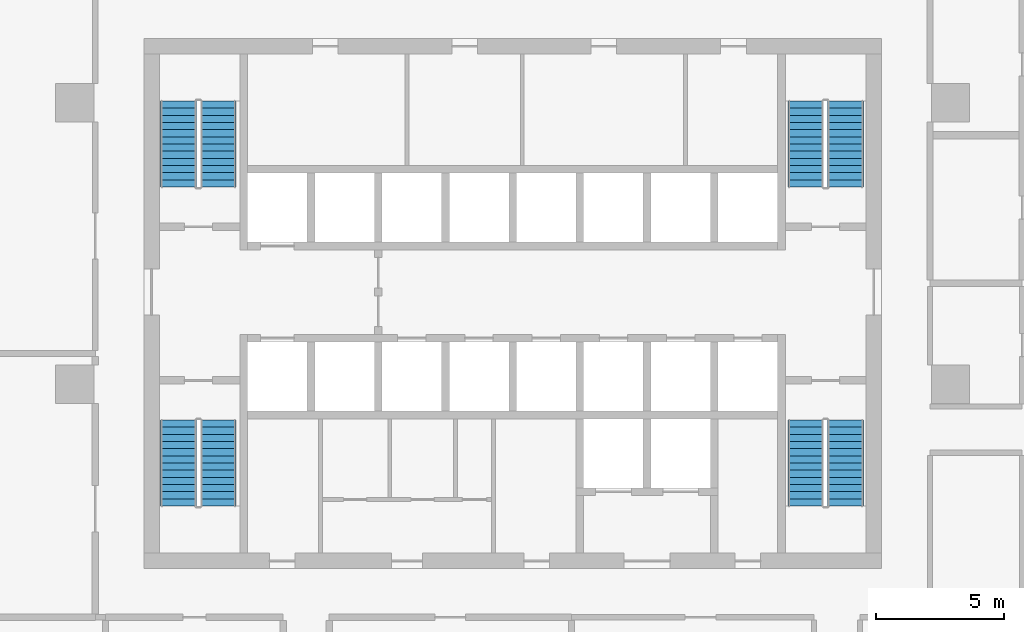
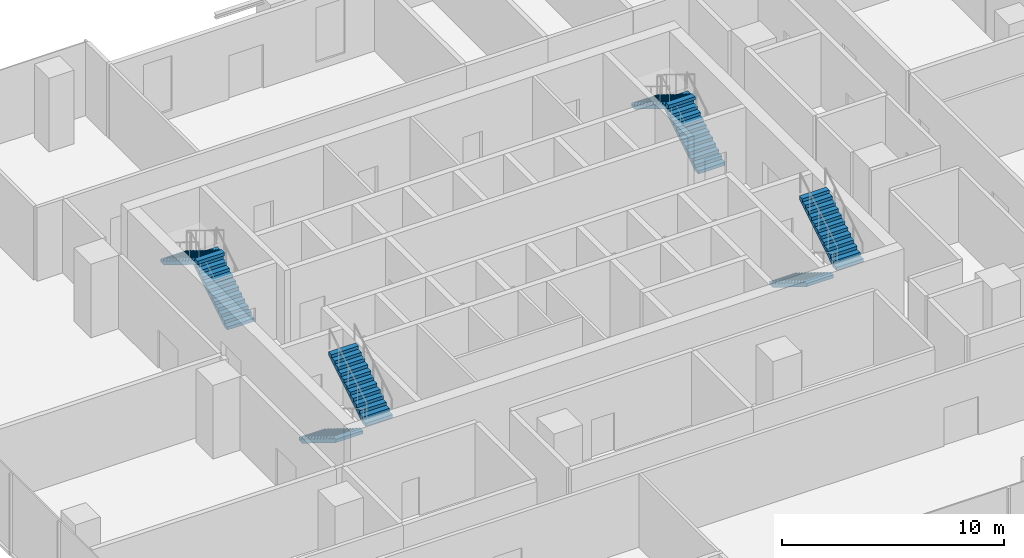
# One storey, part 11 of 14: 8 stair flights, 4 elements without a shape of their own.
"""IFC4 building model written with IfcOpenShell, lengths in metres."""

from ifc_helpers import new_model, si_unit, direction, frame, origin, place, context, subcontext, project, spatial, polyline, outline, extrude, material, type_object, element, aggregate, save


model = new_model("IFC4")

# Units and contexts
model_context = context("Model", 3, precision=1e-05, world=origin(), true_north=direction((0.0, 1.0)))
body_context = subcontext(model_context, "Body", "Model", "MODEL_VIEW")
ifc_project = project(units=[si_unit("LENGTHUNIT", "METRE"), si_unit("AREAUNIT", "SQUARE_METRE"), si_unit("VOLUMEUNIT", "CUBIC_METRE"), si_unit("PLANEANGLEUNIT", "RADIAN"), si_unit("MASSUNIT", "GRAM", prefix="KILO")], contexts=[model_context])

# Site, building, storey
site_placement = place(None, origin())
site = spatial("IfcSite", under=ifc_project, at=site_placement, CompositionType="ELEMENT")
building_placement = place(site_placement, origin())
building = spatial("IfcBuilding", under=site, at=building_placement, Name="Mopane Tessera Tower", CompositionType="ELEMENT")
storey_placement = place(building_placement, frame((0.0, 0.0, 130.60009765625)))
storey = spatial("IfcBuildingStorey", under=building, at=storey_placement, Name="L26", CompositionType="ELEMENT", Elevation=130.60009765625)

# Stair, stair flights
ifc_material_1 = material(Name="Concrete C50/60", Category="concrete")
stair_type = type_object("IfcStairType", Name="Escape stair 1400 mm, riser 173 mm", PredefinedType="HALF_TURN_STAIR", material=ifc_material_1)
stair_1_placement = place(storey_placement, origin())
stair_1 = element("IfcStair", 1, at=stair_1_placement, inside=storey, type_object=stair_type, Name="L26 Escape stair south-west", PredefinedType="HALF_TURN_STAIR")
ifc_material_2 = material(Name="Concrete C50/60", Category="concrete")
stair_flight_type = type_object("IfcStairFlightType", Name="Escape stair flight 1400 mm", PredefinedType="STRAIGHT", material=ifc_material_2)
stair_flight_1_placement = place(storey_placement, frame((-13.050048828125, -1.39990234375, 0.0), z_axis=(0.0, 0.0, 1.0), x_axis=(0.0, -1.0, 0.0)))
stair_flight_1 = element("IfcStairFlight", 2, at=stair_flight_1_placement, type_object=stair_flight_type, Name="ST1 flight 1", NumberOfRisers=13, NumberOfTreads=12, PredefinedType="STRAIGHT", RiserHeight=0.173076923, TreadLength=0.28, context=body_context, shape_type="SweptSolid", body=[
    extrude(outline(polyline([(0.0, 0.0), (0.0, 0.173095703125), (0.280029296875, 0.173095703125), (0.280029296875, 0.34619140625), (0.56005859375, 0.34619140625), (0.56005859375, 0.519287109375), (0.840087890625, 0.519287109375), (0.840087890625, 0.6923828125), (1.1201171875, 0.6923828125), (1.1201171875, 0.865478515625), (1.39990234375, 0.865478515625), (1.39990234375, 1.03857421875), (1.679931640625, 1.03857421875), (1.679931640625, 1.21142578125), (1.9599609375, 1.21142578125), (1.9599609375, 1.384521484375), (2.239990234375, 1.384521484375), (2.239990234375, 1.5576171875), (2.52001953125, 1.5576171875), (2.52001953125, 1.730712890625), (2.800048828125, 1.730712890625), (2.800048828125, 1.90380859375), (3.080078125, 1.90380859375), (3.080078125, 2.076904296875), (3.360107421875, 2.076904296875), (3.360107421875, 2.25), (3.360107421875, 1.900634765625), (0.28515625, 0.0), (0.0, 0.0)])), frame((0.0, 0.699951171875, 0.0), z_axis=(0.0, -1.0, 0.0), x_axis=(1.0, 0.0, 0.0)), (0.0, 0.0, 1.0), 1.39990234375),
])
stair_flight_2_placement = place(storey_placement, frame((-11.5, -4.760009765625, 2.25), z_axis=(0.0, 0.0, 1.0), x_axis=(0.0, 1.0, 0.0)))
stair_flight_2 = element("IfcStairFlight", 3, at=stair_flight_2_placement, type_object=stair_flight_type, Name="ST1 flight 2", NumberOfRisers=13, NumberOfTreads=12, PredefinedType="STRAIGHT", RiserHeight=0.173076923, TreadLength=0.28, context=body_context, shape_type="SweptSolid", body=[
    extrude(outline(polyline([(0.0, 0.0), (0.0, 0.173095703125), (0.280029296875, 0.173095703125), (0.280029296875, 0.34619140625), (0.56005859375, 0.34619140625), (0.56005859375, 0.519287109375), (0.840087890625, 0.519287109375), (0.840087890625, 0.6923828125), (1.1201171875, 0.6923828125), (1.1201171875, 0.865478515625), (1.39990234375, 0.865478515625), (1.39990234375, 1.03857421875), (1.679931640625, 1.03857421875), (1.679931640625, 1.21142578125), (1.9599609375, 1.21142578125), (1.9599609375, 1.384521484375), (2.239990234375, 1.384521484375), (2.239990234375, 1.5576171875), (2.52001953125, 1.5576171875), (2.52001953125, 1.730712890625), (2.800048828125, 1.730712890625), (2.800048828125, 1.90380859375), (3.080078125, 1.90380859375), (3.080078125, 2.076904296875), (3.360107421875, 2.076904296875), (3.360107421875, 2.25), (3.360107421875, 1.900634765625), (0.28515625, 0.0), (0.0, 0.0)])), frame((0.0, 0.699951171875, 0.0), z_axis=(0.0, -1.0, 0.0), x_axis=(1.0, 0.0, 0.0)), (0.0, 0.0, 1.0), 1.39990234375),
])
aggregate(stair_1, [stair_flight_1, stair_flight_2])

stair_2_placement = place(storey_placement, origin())
stair_2 = element("IfcStair", 4, at=stair_2_placement, inside=storey, type_object=stair_type, Name="L26 Escape stair north-west", PredefinedType="HALF_TURN_STAIR")
stair_flight_3_placement = place(storey_placement, frame((-11.5, 7.699951171875, 0.0), z_axis=(0.0, 0.0, 1.0), x_axis=(0.0, 1.0, 0.0)))
stair_flight_3 = element("IfcStairFlight", 5, at=stair_flight_3_placement, type_object=stair_flight_type, Name="ST2 flight 1", NumberOfRisers=13, NumberOfTreads=12, PredefinedType="STRAIGHT", RiserHeight=0.173076923, TreadLength=0.28, context=body_context, shape_type="SweptSolid", body=[
    extrude(outline(polyline([(0.0, 0.0), (0.0, 0.173095703125), (0.280029296875, 0.173095703125), (0.280029296875, 0.34619140625), (0.56005859375, 0.34619140625), (0.56005859375, 0.519287109375), (0.840087890625, 0.519287109375), (0.840087890625, 0.6923828125), (1.1201171875, 0.6923828125), (1.1201171875, 0.865478515625), (1.39990234375, 0.865478515625), (1.39990234375, 1.03857421875), (1.679931640625, 1.03857421875), (1.679931640625, 1.21142578125), (1.9599609375, 1.21142578125), (1.9599609375, 1.384521484375), (2.239990234375, 1.384521484375), (2.239990234375, 1.5576171875), (2.52001953125, 1.5576171875), (2.52001953125, 1.730712890625), (2.800048828125, 1.730712890625), (2.800048828125, 1.90380859375), (3.080078125, 1.90380859375), (3.080078125, 2.076904296875), (3.360107421875, 2.076904296875), (3.360107421875, 2.25), (3.360107421875, 1.900634765625), (0.28515625, 0.0), (0.0, 0.0)])), frame((0.0, 0.699951171875, 0.0), z_axis=(0.0, -1.0, 0.0), x_axis=(1.0, 0.0, 0.0)), (0.0, 0.0, 1.0), 1.39990234375),
])
stair_flight_4_placement = place(storey_placement, frame((-13.050048828125, 11.06005859375, 2.25), z_axis=(0.0, 0.0, 1.0), x_axis=(0.0, -1.0, 0.0)))
stair_flight_4 = element("IfcStairFlight", 6, at=stair_flight_4_placement, type_object=stair_flight_type, Name="ST2 flight 2", NumberOfRisers=13, NumberOfTreads=12, PredefinedType="STRAIGHT", RiserHeight=0.173076923, TreadLength=0.28, context=body_context, shape_type="SweptSolid", body=[
    extrude(outline(polyline([(0.0, 0.0), (0.0, 0.173095703125), (0.280029296875, 0.173095703125), (0.280029296875, 0.34619140625), (0.56005859375, 0.34619140625), (0.56005859375, 0.519287109375), (0.840087890625, 0.519287109375), (0.840087890625, 0.6923828125), (1.1201171875, 0.6923828125), (1.1201171875, 0.865478515625), (1.39990234375, 0.865478515625), (1.39990234375, 1.03857421875), (1.679931640625, 1.03857421875), (1.679931640625, 1.21142578125), (1.9599609375, 1.21142578125), (1.9599609375, 1.384521484375), (2.239990234375, 1.384521484375), (2.239990234375, 1.5576171875), (2.52001953125, 1.5576171875), (2.52001953125, 1.730712890625), (2.800048828125, 1.730712890625), (2.800048828125, 1.90380859375), (3.080078125, 1.90380859375), (3.080078125, 2.076904296875), (3.360107421875, 2.076904296875), (3.360107421875, 2.25), (3.360107421875, 1.900634765625), (0.28515625, 0.0), (0.0, 0.0)])), frame((0.0, 0.699951171875, 0.0), z_axis=(0.0, -1.0, 0.0), x_axis=(1.0, 0.0, 0.0)), (0.0, 0.0, 1.0), 1.39990234375),
])
aggregate(stair_2, [stair_flight_3, stair_flight_4])

stair_3_placement = place(storey_placement, origin())
stair_3 = element("IfcStair", 7, at=stair_3_placement, inside=storey, type_object=stair_type, Name="L26 Escape stair south-east", PredefinedType="HALF_TURN_STAIR")
stair_flight_5_placement = place(storey_placement, frame((11.449951171875, -1.39990234375, 0.0), z_axis=(0.0, 0.0, 1.0), x_axis=(0.0, -1.0, 0.0)))
stair_flight_5 = element("IfcStairFlight", 8, at=stair_flight_5_placement, type_object=stair_flight_type, Name="ST3 flight 1", NumberOfRisers=13, NumberOfTreads=12, PredefinedType="STRAIGHT", RiserHeight=0.173076923, TreadLength=0.28, context=body_context, shape_type="SweptSolid", body=[
    extrude(outline(polyline([(0.0, 0.0), (0.0, 0.173095703125), (0.280029296875, 0.173095703125), (0.280029296875, 0.34619140625), (0.56005859375, 0.34619140625), (0.56005859375, 0.519287109375), (0.840087890625, 0.519287109375), (0.840087890625, 0.6923828125), (1.1201171875, 0.6923828125), (1.1201171875, 0.865478515625), (1.39990234375, 0.865478515625), (1.39990234375, 1.03857421875), (1.679931640625, 1.03857421875), (1.679931640625, 1.21142578125), (1.9599609375, 1.21142578125), (1.9599609375, 1.384521484375), (2.239990234375, 1.384521484375), (2.239990234375, 1.5576171875), (2.52001953125, 1.5576171875), (2.52001953125, 1.730712890625), (2.800048828125, 1.730712890625), (2.800048828125, 1.90380859375), (3.080078125, 1.90380859375), (3.080078125, 2.076904296875), (3.360107421875, 2.076904296875), (3.360107421875, 2.25), (3.360107421875, 1.900634765625), (0.28515625, 0.0), (0.0, 0.0)])), frame((0.0, 0.699951171875, 0.0), z_axis=(0.0, -1.0, 0.0), x_axis=(1.0, 0.0, 0.0)), (0.0, 0.0, 1.0), 1.39990234375),
])
stair_flight_6_placement = place(storey_placement, frame((13.0, -4.760009765625, 2.25), z_axis=(0.0, 0.0, 1.0), x_axis=(0.0, 1.0, 0.0)))
stair_flight_6 = element("IfcStairFlight", 9, at=stair_flight_6_placement, type_object=stair_flight_type, Name="ST3 flight 2", NumberOfRisers=13, NumberOfTreads=12, PredefinedType="STRAIGHT", RiserHeight=0.173076923, TreadLength=0.28, context=body_context, shape_type="SweptSolid", body=[
    extrude(outline(polyline([(0.0, 0.0), (0.0, 0.173095703125), (0.280029296875, 0.173095703125), (0.280029296875, 0.34619140625), (0.56005859375, 0.34619140625), (0.56005859375, 0.519287109375), (0.840087890625, 0.519287109375), (0.840087890625, 0.6923828125), (1.1201171875, 0.6923828125), (1.1201171875, 0.865478515625), (1.39990234375, 0.865478515625), (1.39990234375, 1.03857421875), (1.679931640625, 1.03857421875), (1.679931640625, 1.21142578125), (1.9599609375, 1.21142578125), (1.9599609375, 1.384521484375), (2.239990234375, 1.384521484375), (2.239990234375, 1.5576171875), (2.52001953125, 1.5576171875), (2.52001953125, 1.730712890625), (2.800048828125, 1.730712890625), (2.800048828125, 1.90380859375), (3.080078125, 1.90380859375), (3.080078125, 2.076904296875), (3.360107421875, 2.076904296875), (3.360107421875, 2.25), (3.360107421875, 1.900634765625), (0.28515625, 0.0), (0.0, 0.0)])), frame((0.0, 0.699951171875, 0.0), z_axis=(0.0, -1.0, 0.0), x_axis=(1.0, 0.0, 0.0)), (0.0, 0.0, 1.0), 1.39990234375),
])
aggregate(stair_3, [stair_flight_5, stair_flight_6])

stair_4_placement = place(storey_placement, origin())
stair_4 = element("IfcStair", 10, at=stair_4_placement, inside=storey, type_object=stair_type, Name="L26 Escape stair north-east", PredefinedType="HALF_TURN_STAIR")
stair_flight_7_placement = place(storey_placement, frame((13.0, 7.699951171875, 0.0), z_axis=(0.0, 0.0, 1.0), x_axis=(0.0, 1.0, 0.0)))
stair_flight_7 = element("IfcStairFlight", 11, at=stair_flight_7_placement, type_object=stair_flight_type, Name="ST4 flight 1", NumberOfRisers=13, NumberOfTreads=12, PredefinedType="STRAIGHT", RiserHeight=0.173076923, TreadLength=0.28, context=body_context, shape_type="SweptSolid", body=[
    extrude(outline(polyline([(0.0, 0.0), (0.0, 0.173095703125), (0.280029296875, 0.173095703125), (0.280029296875, 0.34619140625), (0.56005859375, 0.34619140625), (0.56005859375, 0.519287109375), (0.840087890625, 0.519287109375), (0.840087890625, 0.6923828125), (1.1201171875, 0.6923828125), (1.1201171875, 0.865478515625), (1.39990234375, 0.865478515625), (1.39990234375, 1.03857421875), (1.679931640625, 1.03857421875), (1.679931640625, 1.21142578125), (1.9599609375, 1.21142578125), (1.9599609375, 1.384521484375), (2.239990234375, 1.384521484375), (2.239990234375, 1.5576171875), (2.52001953125, 1.5576171875), (2.52001953125, 1.730712890625), (2.800048828125, 1.730712890625), (2.800048828125, 1.90380859375), (3.080078125, 1.90380859375), (3.080078125, 2.076904296875), (3.360107421875, 2.076904296875), (3.360107421875, 2.25), (3.360107421875, 1.900634765625), (0.28515625, 0.0), (0.0, 0.0)])), frame((0.0, 0.699951171875, 0.0), z_axis=(0.0, -1.0, 0.0), x_axis=(1.0, 0.0, 0.0)), (0.0, 0.0, 1.0), 1.39990234375),
])
stair_flight_8_placement = place(storey_placement, frame((11.449951171875, 11.06005859375, 2.25), z_axis=(0.0, 0.0, 1.0), x_axis=(0.0, -1.0, 0.0)))
stair_flight_8 = element("IfcStairFlight", 12, at=stair_flight_8_placement, type_object=stair_flight_type, Name="ST4 flight 2", NumberOfRisers=13, NumberOfTreads=12, PredefinedType="STRAIGHT", RiserHeight=0.173076923, TreadLength=0.28, context=body_context, shape_type="SweptSolid", body=[
    extrude(outline(polyline([(0.0, 0.0), (0.0, 0.173095703125), (0.280029296875, 0.173095703125), (0.280029296875, 0.34619140625), (0.56005859375, 0.34619140625), (0.56005859375, 0.519287109375), (0.840087890625, 0.519287109375), (0.840087890625, 0.6923828125), (1.1201171875, 0.6923828125), (1.1201171875, 0.865478515625), (1.39990234375, 0.865478515625), (1.39990234375, 1.03857421875), (1.679931640625, 1.03857421875), (1.679931640625, 1.21142578125), (1.9599609375, 1.21142578125), (1.9599609375, 1.384521484375), (2.239990234375, 1.384521484375), (2.239990234375, 1.5576171875), (2.52001953125, 1.5576171875), (2.52001953125, 1.730712890625), (2.800048828125, 1.730712890625), (2.800048828125, 1.90380859375), (3.080078125, 1.90380859375), (3.080078125, 2.076904296875), (3.360107421875, 2.076904296875), (3.360107421875, 2.25), (3.360107421875, 1.900634765625), (0.28515625, 0.0), (0.0, 0.0)])), frame((0.0, 0.699951171875, 0.0), z_axis=(0.0, -1.0, 0.0), x_axis=(1.0, 0.0, 0.0)), (0.0, 0.0, 1.0), 1.39990234375),
])
aggregate(stair_4, [stair_flight_7, stair_flight_8])

save(model, "model.ifc")
